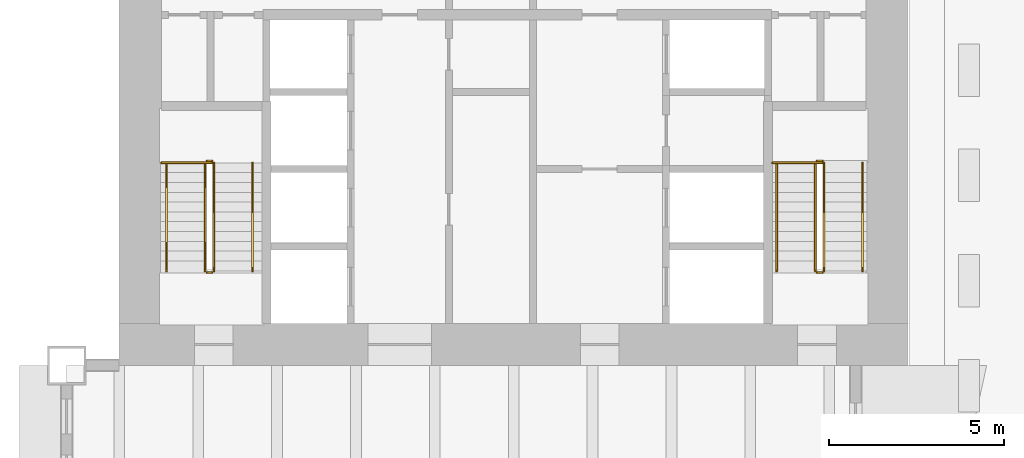
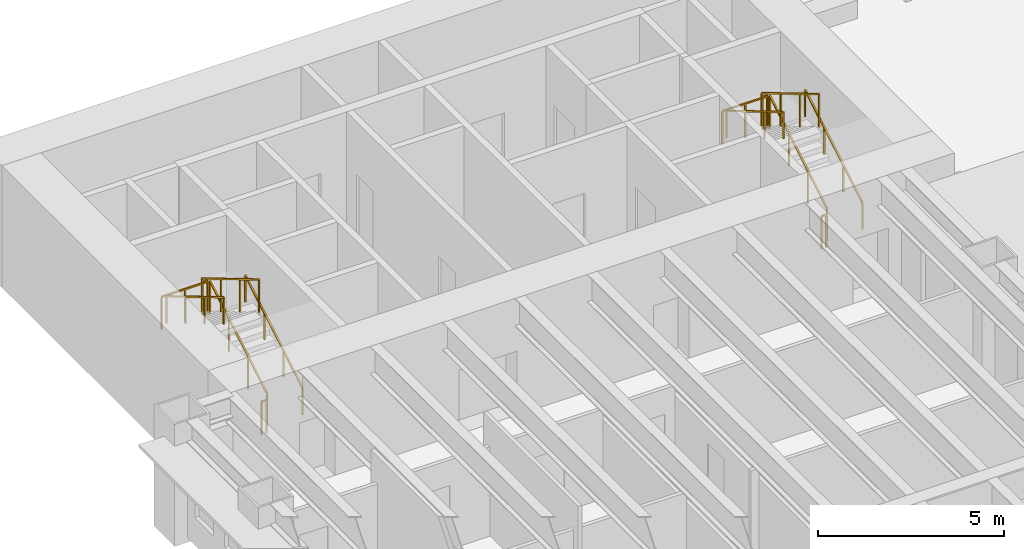
# One storey, part 16 of 18: 14 railings.
"""IFC4 building model written with IfcOpenShell, lengths in metres."""

import ifcopenshell
import ifcopenshell.guid

model = None  # the IFC model being written
_history = None  # IfcOwnerHistory: only IFC2X3 demands one
_inside = {}  # id of a spatial element -> (the spatial element, [elements in it])
_under = {}  # id of a project, library or spatial element -> (it, [spatial elements below it])
_declared = {}  # id of a project -> (the project, [libraries it declares])
_typed = {}  # id of a type object -> (the type object, [elements of that type])
_made_of = {}  # id of a material, layer set ... -> (it, [elements and type objects made of it])


def new_model(schema):
    """Start an empty IFC model of exactly this schema.

    Asked for "IFC4X3", IfcOpenShell would pick the latest addendum, in which some entities
    have other attributes; the version numbers below select the first issue.
    IFC2X3 requires an IfcOwnerHistory on every rooted entity: one is made here for all.
    """
    global model, _history
    if schema == "IFC4X3":
        model = ifcopenshell.file(schema_version=(4, 3, 0, 0))
    else:
        model = ifcopenshell.file(schema=schema)
    _inside.clear()
    _under.clear()
    _declared.clear()
    _typed.clear()
    _made_of.clear()
    _history = None
    if model.schema == "IFC2X3":
        org = make("IfcOrganization", Name="unknown")
        user = make(
            "IfcPersonAndOrganization",
            ThePerson=make("IfcPerson", FamilyName="unknown"),
            TheOrganization=org,
        )
        app = make(
            "IfcApplication",
            ApplicationDeveloper=org,
            Version="unknown",
            ApplicationFullName="unknown",
            ApplicationIdentifier="unknown",
        )
        _history = make(
            "IfcOwnerHistory",
            OwningUser=user,
            OwningApplication=app,
            ChangeAction="ADDED",
            CreationDate=0,
        )
    return model


def make(cls, **values):
    """One entity of the class cls with the attributes given. An attribute that is None is left unset."""
    return model.create_entity(
        cls, **{name: value for name, value in values.items() if value is not None}
    )


def rooted(cls, **values):
    """An entity with a GlobalId (a new one), such as an element, a storey or a relation."""
    return make(cls, GlobalId=ifcopenshell.guid.new(), OwnerHistory=_history, **values)


def si_unit(unit_type, name, prefix=None):
    """IfcSIUnit, for example si_unit("LENGTHUNIT", "METRE", prefix="MILLI")."""
    return make("IfcSIUnit", UnitType=unit_type, Prefix=prefix, Name=name)


def assignment(units):
    """IfcUnitAssignment: the units of a project."""
    return None if units is None else make("IfcUnitAssignment", Units=units)


def point(xyz):
    """IfcCartesianPoint."""
    return None if xyz is None else make("IfcCartesianPoint", Coordinates=xyz)


def direction(xyz):
    """IfcDirection."""
    return None if xyz is None else make("IfcDirection", DirectionRatios=xyz)


def frame(location, z_axis=None, x_axis=None):
    """IfcAxis2Placement3D, a coordinate frame: its origin and axes. An axis left out is left unset."""
    return make(
        "IfcAxis2Placement3D",
        Location=point(location),
        Axis=direction(z_axis),
        RefDirection=direction(x_axis),
    )


def frame_2d(location, x_axis=None):
    """IfcAxis2Placement2D, a coordinate frame in the plane: its origin and x axis."""
    return make(
        "IfcAxis2Placement2D", Location=point(location), RefDirection=direction(x_axis)
    )


def origin():
    """The frame at (0, 0, 0) with its axes left unset."""
    return frame((0.0, 0.0, 0.0))


def origin_2d():
    """The frame at (0, 0) in the plane with its x axis left unset."""
    return frame_2d((0.0, 0.0))


def place(relative_to, where):
    """IfcLocalPlacement: puts the frame where relative to a parent placement (None: the world)."""
    return make(
        "IfcLocalPlacement", PlacementRelTo=relative_to, RelativePlacement=where
    )


def context(
    kind, dimensions, precision=None, world=None, true_north=None, identifier=None
):
    """IfcGeometricRepresentationContext, for example the 3D "Model" context."""
    return make(
        "IfcGeometricRepresentationContext",
        ContextIdentifier=identifier,
        ContextType=kind,
        CoordinateSpaceDimension=dimensions,
        Precision=precision,
        WorldCoordinateSystem=world,
        TrueNorth=true_north,
    )


def subcontext(parent, identifier, kind, view, scale=None):
    """IfcGeometricRepresentationSubContext, for example "Body" below "Model"."""
    return make(
        "IfcGeometricRepresentationSubContext",
        ContextIdentifier=identifier,
        ContextType=kind,
        ParentContext=parent,
        TargetScale=scale,
        TargetView=view,
    )


def project(units=None, contexts=None):
    """IfcProject with its units and contexts."""
    return rooted(
        "IfcProject",
        Name="project",
        RepresentationContexts=contexts,
        UnitsInContext=assignment(units),
    )


def spatial(cls, under=None, at=None, **own):
    """A site, building, storey or space (cls), placed at a placement, below another one or the project."""
    s = rooted(cls, ObjectPlacement=at, **own)
    if under is not None:
        _under.setdefault(under.id(), (under, []))[1].append(s)
    return s


def profile(cls, at=None, kind="AREA", **sizes):
    """A parametric profile (cls). Its sizes go by their IFC names, for example OverallWidth=200.0."""
    return make(cls, ProfileType=kind, Position=at, **sizes)


def rectangle(**sizes):
    """IfcRectangleProfileDef."""
    return profile("IfcRectangleProfileDef", **sizes)


def extrude(swept, where, along, depth):
    """IfcExtrudedAreaSolid: the profile swept, set in the frame where, extruded along a direction by depth."""
    return make(
        "IfcExtrudedAreaSolid",
        SweptArea=swept,
        Position=where,
        ExtrudedDirection=direction(along),
        Depth=depth,
    )


def shape(context_of_items, identifier, shape_type, items):
    """IfcShapeRepresentation: the items that make up one representation, for example the "Body"."""
    return make(
        "IfcShapeRepresentation",
        ContextOfItems=context_of_items,
        RepresentationIdentifier=identifier,
        RepresentationType=shape_type,
        Items=items,
    )


def material(Name=None, Category=None):
    """IfcMaterial."""
    return make("IfcMaterial", Name=Name, Category=Category)


def made_of(thing, what):
    """Note that an element or type object is made of a material, layer set ...; save() writes the relation."""
    if what is not None:
        _made_of.setdefault(what.id(), (what, []))[1].append(thing)
    return thing


def type_object(cls, material=None, **own):
    """A type object (cls), such as IfcWallType, which elements share."""
    return made_of(rooted(cls, **own), material)


def element(
    cls,
    number,
    at=None,
    inside=None,
    cuts=None,
    type_object=None,
    material=None,
    context=None,
    identifier="Body",
    shape_type=None,
    held_by="IfcProductDefinitionShape",
    body=None,
    shapes=None,
    **own,
):
    """One element of the class cls, such as IfcWall. Its Tag is "e" and its number.

    at: its placement. inside: the storey or other place that contains it. cuts: it is an
    opening in that element (IfcRelVoidsElement). A single representation is given by context,
    identifier, shape_type and body (its items); several are given by shapes. held_by: the class
    of the entity that holds the representations. save() writes the other relations.
    """
    e = rooted(cls, Tag="e%d" % number, ObjectPlacement=at, **own)
    if body is not None:
        shapes = [shape(context, identifier, shape_type, body)]
    if shapes is not None:
        e.Representation = make(held_by, Representations=shapes)
    if inside is not None:
        _inside.setdefault(inside.id(), (inside, []))[1].append(e)
    if cuts is not None:
        rooted(
            "IfcRelVoidsElement", RelatingBuildingElement=cuts, RelatedOpeningElement=e
        )
    if type_object is not None:
        _typed.setdefault(type_object.id(), (type_object, []))[1].append(e)
    return made_of(e, material)


def aggregate(whole, parts):
    """IfcRelAggregates: a whole, such as a stair, and the parts it consists of."""
    return rooted("IfcRelAggregates", RelatingObject=whole, RelatedObjects=parts)


def save(model, path):
    """Write the relations noted so far, then the file.

    IfcRelAggregates (storeys below a building ...), IfcRelContainedInSpatialStructure (elements
    in a storey), IfcRelDefinesByType, IfcRelAssociatesMaterial and IfcRelDeclares: one each for
    every whole, place, type object, material and project.
    """
    for whole, parts in _under.values():
        aggregate(whole, parts)
    for where, things in _inside.values():
        rooted(
            "IfcRelContainedInSpatialStructure",
            RelatedElements=things,
            RelatingStructure=where,
        )
    for kind, things in _typed.values():
        rooted("IfcRelDefinesByType", RelatedObjects=things, RelatingType=kind)
    for what, things in _made_of.values():
        rooted("IfcRelAssociatesMaterial", RelatedObjects=things, RelatingMaterial=what)
    for by, libraries in _declared.values():
        rooted("IfcRelDeclares", RelatingContext=by, RelatedDefinitions=libraries)
    model.write(path)


model = new_model("IFC4")

# Units and contexts
model_context = context("Model", 3, precision=1e-05, world=origin(), true_north=direction((0.0, 1.0)))
body_context = subcontext(model_context, "Body", "Model", "MODEL_VIEW")
ifc_project = project(units=[si_unit("LENGTHUNIT", "METRE"), si_unit("AREAUNIT", "SQUARE_METRE"), si_unit("VOLUMEUNIT", "CUBIC_METRE"), si_unit("PLANEANGLEUNIT", "RADIAN"), si_unit("MASSUNIT", "GRAM", prefix="KILO")], contexts=[model_context])

# Site, building, storey
site_placement = place(None, origin())
site = spatial("IfcSite", under=ifc_project, at=site_placement, CompositionType="ELEMENT")
building_placement = place(site_placement, origin())
building = spatial("IfcBuilding", under=site, at=building_placement, Name="Sennacour Bend Tower", CompositionType="ELEMENT")
storey_placement = place(building_placement, frame((0.0, 0.0, 29.0)))
storey = spatial("IfcBuildingStorey", under=building, at=storey_placement, Name="L05", CompositionType="ELEMENT", Elevation=29.0)

# Railings
ifc_material = material(Name="Stainless steel", Category="steel")
railing_type_1 = type_object("IfcRailingType", Name="RL-GUARD-1100", PredefinedType="GUARDRAIL", material=ifc_material)
railing_1_placement = place(storey_placement, frame((2.699951171875, 38.699951171875, 0.166748046875)))
element("IfcRailing", 1, at=railing_1_placement, inside=storey, type_object=railing_type_1, Name="L05 SB1 stair guard 1", PredefinedType="GUARDRAIL", context=body_context, shape_type="SweptSolid", body=[
    extrude(rectangle(XDim=0.048095703125, YDim=0.048095703125, at=origin_2d()), frame((0.0, 0.0, 1.076171875), z_axis=(0.0, 0.859308565015, 0.511457515432), x_axis=(-1.0, 0.0, 0.0)), (0.0, 0.0, 1.0), 3.58447265625),
    extrude(rectangle(XDim=0.0419921875, YDim=0.0419921875, at=origin_2d()), origin(), (0.0, 0.0, 1.0), 1.052001953125),
    extrude(rectangle(XDim=0.0419921875, YDim=0.0419921875, at=origin_2d()), frame((0.0, 1.026611328125, 0.611083984375)), (0.0, 0.0, 1.0), 1.052001953125),
    extrude(rectangle(XDim=0.0419921875, YDim=0.0419921875, at=origin_2d()), frame((0.0, 2.053466796875, 1.22216796875)), (0.0, 0.0, 1.0), 1.052001953125),
    extrude(rectangle(XDim=0.0419921875, YDim=0.0419921875, at=origin_2d()), frame((0.0, 3.080078125, 1.833251953125)), (0.0, 0.0, 1.0), 1.052001953125),
])
railing_2_placement = place(storey_placement, frame((2.64990234375, 41.830078125, 2.0)))
element("IfcRailing", 2, at=railing_2_placement, inside=storey, type_object=railing_type_1, Name="L05 SB1 stair guard 2", PredefinedType="GUARDRAIL", context=body_context, shape_type="SweptSolid", body=[
    extrude(rectangle(XDim=0.048095703125, YDim=0.048095703125, at=origin_2d()), frame((0.0, 0.0, 1.076171875), z_axis=(-1.0, 0.0, 0.0), x_axis=(0.0, -1.0, 0.0)), (0.0, 0.0, 1.0), 0.14990234375),
    extrude(rectangle(XDim=0.0419921875, YDim=0.0419921875, at=origin_2d()), origin(), (0.0, 0.0, 1.0), 1.052001953125),
    extrude(rectangle(XDim=0.0419921875, YDim=0.0419921875, at=origin_2d()), frame((-0.14990234375, 0.0, 0.0)), (0.0, 0.0, 1.0), 1.052001953125),
])
railing_3_placement = place(storey_placement, frame((2.449951171875, 41.780029296875, 2.166748046875)))
element("IfcRailing", 3, at=railing_3_placement, inside=storey, type_object=railing_type_1, Name="L05 SB1 stair guard 4", PredefinedType="GUARDRAIL", context=body_context, shape_type="SweptSolid", body=[
    extrude(rectangle(XDim=0.048095703125, YDim=0.048095703125, at=origin_2d()), frame((0.0, 0.0, 1.076171875), z_axis=(0.0, -0.859308565015, 0.511457515432), x_axis=(1.0, 0.0, 0.0)), (0.0, 0.0, 1.0), 3.58447265625),
    extrude(rectangle(XDim=0.0419921875, YDim=0.0419921875, at=origin_2d()), origin(), (0.0, 0.0, 1.0), 1.052001953125),
    extrude(rectangle(XDim=0.0419921875, YDim=0.0419921875, at=origin_2d()), frame((0.0, -1.026611328125, 0.611083984375)), (0.0, 0.0, 1.0), 1.052001953125),
    extrude(rectangle(XDim=0.0419921875, YDim=0.0419921875, at=origin_2d()), frame((0.0, -2.053466796875, 1.22216796875)), (0.0, 0.0, 1.0), 1.052001953125),
    extrude(rectangle(XDim=0.0419921875, YDim=0.0419921875, at=origin_2d()), frame((0.0, -3.080078125, 1.833251953125)), (0.0, 0.0, 1.0), 1.052001953125),
])
railing_4_placement = place(storey_placement, frame((2.64990234375, 38.64990234375, 0.0)))
element("IfcRailing", 4, at=railing_4_placement, inside=storey, type_object=railing_type_1, Name="L05 SB1 stair guard 5", PredefinedType="GUARDRAIL", context=body_context, shape_type="SweptSolid", body=[
    extrude(rectangle(XDim=0.048095703125, YDim=0.048095703125, at=origin_2d()), frame((0.0, 0.0, 1.076171875), z_axis=(-1.0, 0.0, 0.0), x_axis=(0.0, -1.0, 0.0)), (0.0, 0.0, 1.0), 0.14990234375),
    extrude(rectangle(XDim=0.0419921875, YDim=0.0419921875, at=origin_2d()), origin(), (0.0, 0.0, 1.0), 1.052001953125),
    extrude(rectangle(XDim=0.0419921875, YDim=0.0419921875, at=origin_2d()), frame((-0.14990234375, 0.0, 0.0)), (0.0, 0.0, 1.0), 1.052001953125),
])
railing_5_placement = place(storey_placement, frame((2.64990234375, 41.780029296875, 2.0)))
element("IfcRailing", 5, at=railing_5_placement, inside=storey, type_object=railing_type_1, Name="L05 SB1 landing edge guard 24", PredefinedType="GUARDRAIL", context=body_context, shape_type="SweptSolid", body=[
    extrude(rectangle(XDim=0.048095703125, YDim=0.048095703125, at=origin_2d()), frame((0.0, 0.0, 1.076171875), z_axis=(-1.0, 0.0, 0.0), x_axis=(0.0, -1.0, 0.0)), (0.0, 0.0, 1.0), 1.449951171875),
    extrude(rectangle(XDim=0.0419921875, YDim=0.0419921875, at=origin_2d()), origin(), (0.0, 0.0, 1.0), 1.052001953125),
    extrude(rectangle(XDim=0.0419921875, YDim=0.0419921875, at=origin_2d()), frame((-0.72509765625, 0.0, 0.0)), (0.0, 0.0, 1.0), 1.052001953125),
    extrude(rectangle(XDim=0.0419921875, YDim=0.0419921875, at=origin_2d()), frame((-1.449951171875, 0.0, 0.0)), (0.0, 0.0, 1.0), 1.052001953125),
])
railing_6_placement = place(storey_placement, frame((20.10009765625, 38.699951171875, 0.166748046875)))
element("IfcRailing", 6, at=railing_6_placement, inside=storey, type_object=railing_type_1, Name="L05 SB2 stair guard 1", PredefinedType="GUARDRAIL", context=body_context, shape_type="SweptSolid", body=[
    extrude(rectangle(XDim=0.048095703125, YDim=0.048095703125, at=origin_2d()), frame((0.0, 0.0, 1.076171875), z_axis=(0.0, 0.859308565015, 0.511457515432), x_axis=(-1.0, 0.0, 0.0)), (0.0, 0.0, 1.0), 3.58447265625),
    extrude(rectangle(XDim=0.0419921875, YDim=0.0419921875, at=origin_2d()), origin(), (0.0, 0.0, 1.0), 1.052001953125),
    extrude(rectangle(XDim=0.0419921875, YDim=0.0419921875, at=origin_2d()), frame((0.0, 1.026611328125, 0.611083984375)), (0.0, 0.0, 1.0), 1.052001953125),
    extrude(rectangle(XDim=0.0419921875, YDim=0.0419921875, at=origin_2d()), frame((0.0, 2.053466796875, 1.22216796875)), (0.0, 0.0, 1.0), 1.052001953125),
    extrude(rectangle(XDim=0.0419921875, YDim=0.0419921875, at=origin_2d()), frame((0.0, 3.080078125, 1.833251953125)), (0.0, 0.0, 1.0), 1.052001953125),
])
railing_7_placement = place(storey_placement, frame((20.050048828125, 41.830078125, 2.0)))
element("IfcRailing", 7, at=railing_7_placement, inside=storey, type_object=railing_type_1, Name="L05 SB2 stair guard 2", PredefinedType="GUARDRAIL", context=body_context, shape_type="SweptSolid", body=[
    extrude(rectangle(XDim=0.048095703125, YDim=0.048095703125, at=origin_2d()), frame((0.0, 0.0, 1.076171875), z_axis=(-1.0, 0.0, 0.0), x_axis=(0.0, -1.0, 0.0)), (0.0, 0.0, 1.0), 0.150146484375),
    extrude(rectangle(XDim=0.0419921875, YDim=0.0419921875, at=origin_2d()), origin(), (0.0, 0.0, 1.0), 1.052001953125),
    extrude(rectangle(XDim=0.0419921875, YDim=0.0419921875, at=origin_2d()), frame((-0.150146484375, 0.0, 0.0)), (0.0, 0.0, 1.0), 1.052001953125),
])
railing_8_placement = place(storey_placement, frame((19.85009765625, 41.780029296875, 2.166748046875)))
element("IfcRailing", 8, at=railing_8_placement, inside=storey, type_object=railing_type_1, Name="L05 SB2 stair guard 4", PredefinedType="GUARDRAIL", context=body_context, shape_type="SweptSolid", body=[
    extrude(rectangle(XDim=0.048095703125, YDim=0.048095703125, at=origin_2d()), frame((0.0, 0.0, 1.076171875), z_axis=(0.0, -0.859308565015, 0.511457515432), x_axis=(1.0, 0.0, 0.0)), (0.0, 0.0, 1.0), 3.58447265625),
    extrude(rectangle(XDim=0.0419921875, YDim=0.0419921875, at=origin_2d()), origin(), (0.0, 0.0, 1.0), 1.052001953125),
    extrude(rectangle(XDim=0.0419921875, YDim=0.0419921875, at=origin_2d()), frame((0.0, -1.026611328125, 0.611083984375)), (0.0, 0.0, 1.0), 1.052001953125),
    extrude(rectangle(XDim=0.0419921875, YDim=0.0419921875, at=origin_2d()), frame((0.0, -2.053466796875, 1.22216796875)), (0.0, 0.0, 1.0), 1.052001953125),
    extrude(rectangle(XDim=0.0419921875, YDim=0.0419921875, at=origin_2d()), frame((0.0, -3.080078125, 1.833251953125)), (0.0, 0.0, 1.0), 1.052001953125),
])
railing_9_placement = place(storey_placement, frame((20.050048828125, 38.64990234375, 0.0)))
element("IfcRailing", 9, at=railing_9_placement, inside=storey, type_object=railing_type_1, Name="L05 SB2 stair guard 5", PredefinedType="GUARDRAIL", context=body_context, shape_type="SweptSolid", body=[
    extrude(rectangle(XDim=0.048095703125, YDim=0.048095703125, at=origin_2d()), frame((0.0, 0.0, 1.076171875), z_axis=(-1.0, 0.0, 0.0), x_axis=(0.0, -1.0, 0.0)), (0.0, 0.0, 1.0), 0.150146484375),
    extrude(rectangle(XDim=0.0419921875, YDim=0.0419921875, at=origin_2d()), origin(), (0.0, 0.0, 1.0), 1.052001953125),
    extrude(rectangle(XDim=0.0419921875, YDim=0.0419921875, at=origin_2d()), frame((-0.150146484375, 0.0, 0.0)), (0.0, 0.0, 1.0), 1.052001953125),
])
railing_10_placement = place(storey_placement, frame((20.050048828125, 41.780029296875, 2.0)))
element("IfcRailing", 10, at=railing_10_placement, inside=storey, type_object=railing_type_1, Name="L05 SB2 landing edge guard 16", PredefinedType="GUARDRAIL", context=body_context, shape_type="SweptSolid", body=[
    extrude(rectangle(XDim=0.048095703125, YDim=0.048095703125, at=origin_2d()), frame((0.0, 0.0, 1.076171875), z_axis=(-1.0, 0.0, 0.0), x_axis=(0.0, -1.0, 0.0)), (0.0, 0.0, 1.0), 1.425048828125),
    extrude(rectangle(XDim=0.0419921875, YDim=0.0419921875, at=origin_2d()), origin(), (0.0, 0.0, 1.0), 1.052001953125),
    extrude(rectangle(XDim=0.0419921875, YDim=0.0419921875, at=origin_2d()), frame((-0.71240234375, 0.0, 0.0)), (0.0, 0.0, 1.0), 1.052001953125),
    extrude(rectangle(XDim=0.0419921875, YDim=0.0419921875, at=origin_2d()), frame((-1.425048828125, 0.0, 0.0)), (0.0, 0.0, 1.0), 1.052001953125),
])
railing_type_2 = type_object("IfcRailingType", Name="RL-HANDRAIL-900", PredefinedType="HANDRAIL", material=ifc_material)
railing_11_placement = place(storey_placement, frame((3.800048828125, 38.699951171875, 0.166748046875)))
element("IfcRailing", 11, at=railing_11_placement, inside=storey, type_object=railing_type_2, Name="L05 SB1 stair handrail 1", PredefinedType="HANDRAIL", context=body_context, shape_type="SweptSolid", body=[
    extrude(rectangle(XDim=0.048095703125, YDim=0.048095703125, at=origin_2d()), frame((0.0, 0.0, 0.8759765625), z_axis=(0.0, 0.859308565015, 0.511457515432), x_axis=(-1.0, 0.0, 0.0)), (0.0, 0.0, 1.0), 3.58447265625),
    extrude(rectangle(XDim=0.0419921875, YDim=0.0419921875, at=origin_2d()), origin(), (0.0, 0.0, 1.0), 0.851806640625),
    extrude(rectangle(XDim=0.0419921875, YDim=0.0419921875, at=origin_2d()), frame((0.0, 1.026611328125, 0.611083984375)), (0.0, 0.0, 1.0), 0.851806640625),
    extrude(rectangle(XDim=0.0419921875, YDim=0.0419921875, at=origin_2d()), frame((0.0, 2.053466796875, 1.22216796875)), (0.0, 0.0, 1.0), 0.851806640625),
    extrude(rectangle(XDim=0.0419921875, YDim=0.0419921875, at=origin_2d()), frame((0.0, 3.080078125, 1.833251953125)), (0.0, 0.0, 1.0), 0.851806640625),
])
railing_12_placement = place(storey_placement, frame((1.35009765625, 41.780029296875, 2.166748046875)))
element("IfcRailing", 12, at=railing_12_placement, inside=storey, type_object=railing_type_2, Name="L05 SB1 stair handrail 2", PredefinedType="HANDRAIL", context=body_context, shape_type="SweptSolid", body=[
    extrude(rectangle(XDim=0.048095703125, YDim=0.048095703125, at=origin_2d()), frame((0.0, 0.0, 0.8759765625), z_axis=(0.0, -0.859308565015, 0.511457515432), x_axis=(1.0, 0.0, 0.0)), (0.0, 0.0, 1.0), 3.58447265625),
    extrude(rectangle(XDim=0.0419921875, YDim=0.0419921875, at=origin_2d()), origin(), (0.0, 0.0, 1.0), 0.851806640625),
    extrude(rectangle(XDim=0.0419921875, YDim=0.0419921875, at=origin_2d()), frame((0.0, -1.026611328125, 0.611083984375)), (0.0, 0.0, 1.0), 0.851806640625),
    extrude(rectangle(XDim=0.0419921875, YDim=0.0419921875, at=origin_2d()), frame((0.0, -2.053466796875, 1.22216796875)), (0.0, 0.0, 1.0), 0.851806640625),
    extrude(rectangle(XDim=0.0419921875, YDim=0.0419921875, at=origin_2d()), frame((0.0, -3.080078125, 1.833251953125)), (0.0, 0.0, 1.0), 0.851806640625),
])
railing_13_placement = place(storey_placement, frame((21.199951171875, 38.699951171875, 0.166748046875)))
element("IfcRailing", 13, at=railing_13_placement, inside=storey, type_object=railing_type_2, Name="L05 SB2 stair handrail 1", PredefinedType="HANDRAIL", context=body_context, shape_type="SweptSolid", body=[
    extrude(rectangle(XDim=0.048095703125, YDim=0.048095703125, at=origin_2d()), frame((0.0, 0.0, 0.8759765625), z_axis=(0.0, 0.859308565015, 0.511457515432), x_axis=(-1.0, 0.0, 0.0)), (0.0, 0.0, 1.0), 3.58447265625),
    extrude(rectangle(XDim=0.0419921875, YDim=0.0419921875, at=origin_2d()), origin(), (0.0, 0.0, 1.0), 0.851806640625),
    extrude(rectangle(XDim=0.0419921875, YDim=0.0419921875, at=origin_2d()), frame((0.0, 1.026611328125, 0.611083984375)), (0.0, 0.0, 1.0), 0.851806640625),
    extrude(rectangle(XDim=0.0419921875, YDim=0.0419921875, at=origin_2d()), frame((0.0, 2.053466796875, 1.22216796875)), (0.0, 0.0, 1.0), 0.851806640625),
    extrude(rectangle(XDim=0.0419921875, YDim=0.0419921875, at=origin_2d()), frame((0.0, 3.080078125, 1.833251953125)), (0.0, 0.0, 1.0), 0.851806640625),
])
railing_14_placement = place(storey_placement, frame((18.75, 41.780029296875, 2.166748046875)))
element("IfcRailing", 14, at=railing_14_placement, inside=storey, type_object=railing_type_2, Name="L05 SB2 stair handrail 2", PredefinedType="HANDRAIL", context=body_context, shape_type="SweptSolid", body=[
    extrude(rectangle(XDim=0.048095703125, YDim=0.048095703125, at=origin_2d()), frame((0.0, 0.0, 0.8759765625), z_axis=(0.0, -0.859308565015, 0.511457515432), x_axis=(1.0, 0.0, 0.0)), (0.0, 0.0, 1.0), 3.58447265625),
    extrude(rectangle(XDim=0.0419921875, YDim=0.0419921875, at=origin_2d()), origin(), (0.0, 0.0, 1.0), 0.851806640625),
    extrude(rectangle(XDim=0.0419921875, YDim=0.0419921875, at=origin_2d()), frame((0.0, -1.026611328125, 0.611083984375)), (0.0, 0.0, 1.0), 0.851806640625),
    extrude(rectangle(XDim=0.0419921875, YDim=0.0419921875, at=origin_2d()), frame((0.0, -2.053466796875, 1.22216796875)), (0.0, 0.0, 1.0), 0.851806640625),
    extrude(rectangle(XDim=0.0419921875, YDim=0.0419921875, at=origin_2d()), frame((0.0, -3.080078125, 1.833251953125)), (0.0, 0.0, 1.0), 0.851806640625),
])

save(model, "model.ifc")
